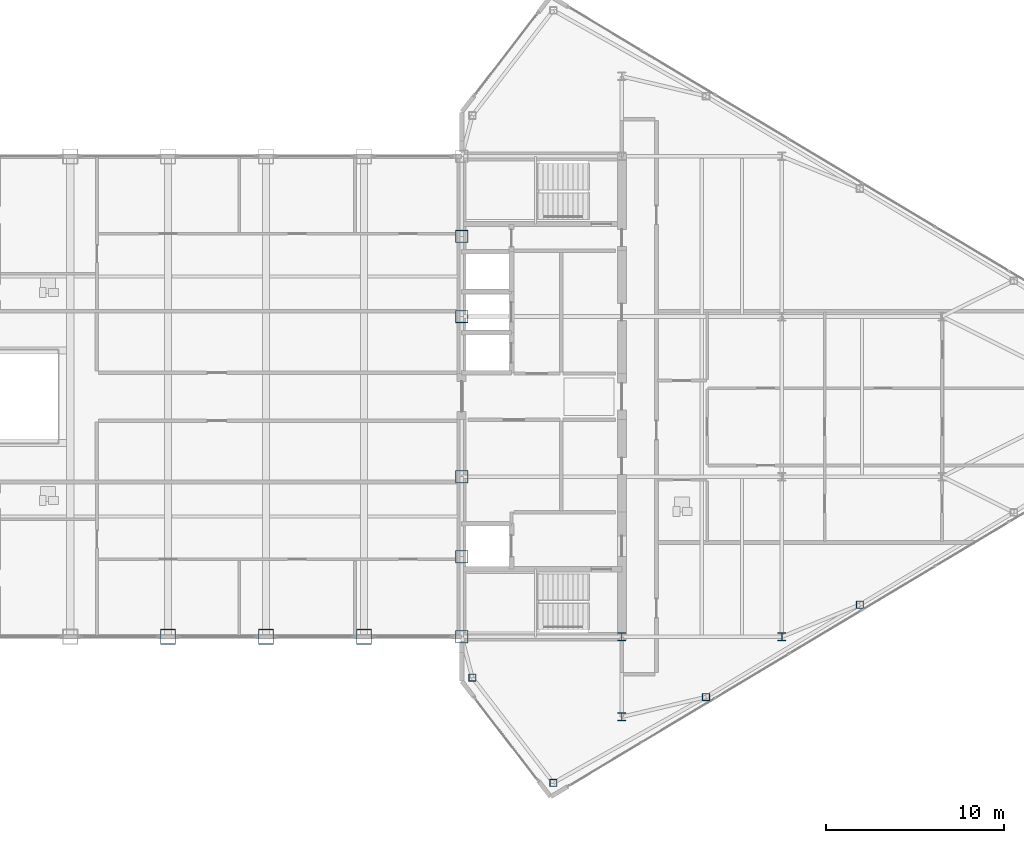
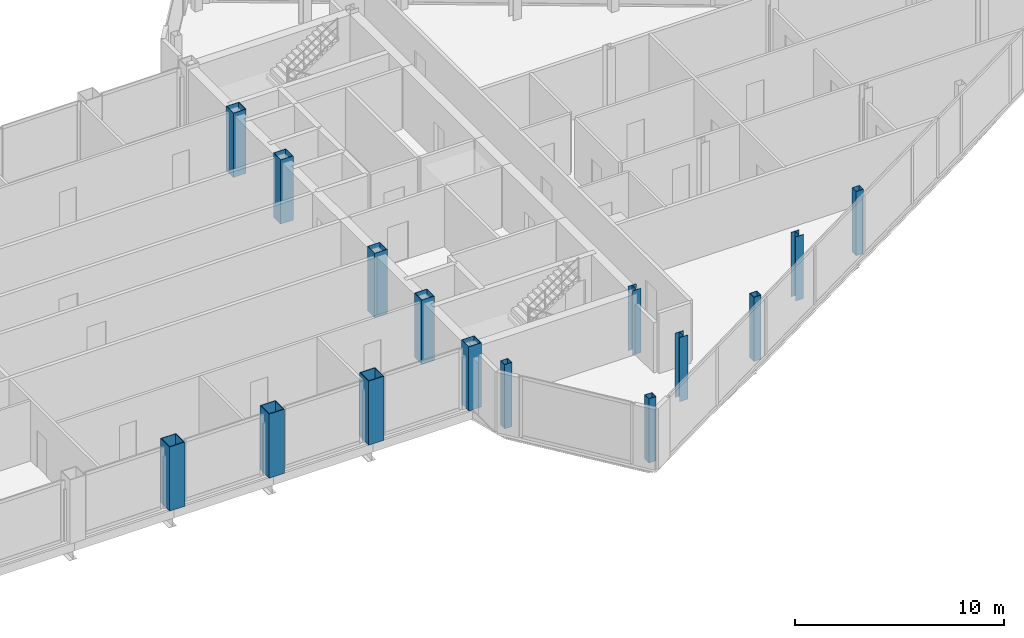
# One storey, part 4 of 29: 15 columns.
"""IFC4 building model written with IfcOpenShell, lengths in metres."""

from ifc_helpers import new_model, si_unit, direction, frame, origin, origin_2d, place, context, subcontext, project, spatial, hollow_rectangle, i_section, extrude, source, transform, mapped, material, material_profile, profile_set, type_object, type_shapes, element, save


model = new_model("IFC4")

# Units and contexts
model_context = context("Model", 3, precision=1e-05, world=origin(), true_north=direction((0.0, 1.0)))
body_context = subcontext(model_context, "Body", "Model", "MODEL_VIEW")
ifc_project = project(units=[si_unit("LENGTHUNIT", "METRE"), si_unit("AREAUNIT", "SQUARE_METRE"), si_unit("VOLUMEUNIT", "CUBIC_METRE"), si_unit("PLANEANGLEUNIT", "RADIAN"), si_unit("MASSUNIT", "GRAM", prefix="KILO")], contexts=[model_context])

# Site, building, storey
site_placement = place(None, origin())
site = spatial("IfcSite", under=ifc_project, at=site_placement, CompositionType="ELEMENT")
building_placement = place(site_placement, origin())
building = spatial("IfcBuilding", under=site, at=building_placement, Name="Seokmaru Belvedere", CompositionType="ELEMENT")
storey_placement = place(building_placement, frame((0.0, 0.0, 250.64990234375)))
storey = spatial("IfcBuildingStorey", under=building, at=storey_placement, Name="L66", CompositionType="ELEMENT", Elevation=250.64990234375)

# Columns
ifc_material_1 = material(Name="Steel SM355 (355 MPa)", Category="steel")
ifc_material_profile_1 = material_profile(ifc_material_1, hollow_rectangle(XDim=0.699951171875, YDim=0.699951171875, WallThickness=0.030029296875, at=origin_2d()), Name="BOX-700x700x30")
ifc_profile_set_1 = profile_set([ifc_material_profile_1], Name="Steel SM355 (355 MPa)")
column_type_1 = type_object("IfcColumnType", Name="Upper Spine Column BOX-700", PredefinedType="COLUMN", material=ifc_profile_set_1)
shared_shape_1 = source(origin(), body_context, "Body", "SweptSolid", [
    extrude(hollow_rectangle(XDim=0.699951171875, YDim=0.699951171875, WallThickness=0.030029296875, at=origin_2d()), origin(), (0.0, 0.0, 1.0), 3.75),
])
type_shapes(column_type_1, [shared_shape_1])
for number, where, z_axis, x_axis, name in (
    (1, (27.5, -13.5, 0.0), (0.0, 0.0, 1.0), (1.0, 0.0, 0.0), "L66 Column ES1"),
    (2, (27.5, -9.0, 0.0), (0.0, 0.0, 1.0), (1.0, 0.0, 0.0), "L66 Column ES2"),
    (3, (27.5, -4.5, 0.0), (0.0, 0.0, 1.0), (1.0, 0.0, 0.0), "L66 Column ES3"),
    (4, (27.5, 4.5, 0.0), (0.0, 0.0, 1.0), (1.0, 0.0, 0.0), "L66 Column ES4"),
    (5, (27.5, 9.0, 0.0), (0.0, 0.0, 1.0), (1.0, 0.0, 0.0), "L66 Column ES5"),
):
    element("IfcColumn", number, at=place(storey_placement, frame(where, z_axis=z_axis, x_axis=x_axis)), inside=storey, type_object=column_type_1, Name=name, PredefinedType="COLUMN", context=body_context, shape_type="MappedRepresentation", body=[
        mapped(shared_shape_1, transform((0.0, 0.0, 0.0), scale=1.0)),
    ])
ifc_material_profile_2 = material_profile(ifc_material_1, i_section(OverallWidth=0.449951171875, OverallDepth=0.449951171875, WebThickness=0.01611328125, FlangeThickness=0.02490234375, at=origin_2d()), Name="H-450x450x16x25")
ifc_profile_set_2 = profile_set([ifc_material_profile_2], Name="Steel SM355 (355 MPa)")
column_type_2 = type_object("IfcColumnType", Name="Sky-Gate Column H-450", PredefinedType="COLUMN", material=ifc_profile_set_2)
shared_shape_2 = source(origin(), body_context, "Body", "SweptSolid", [
    extrude(i_section(OverallWidth=0.449951171875, OverallDepth=0.449951171875, WebThickness=0.01611328125, FlangeThickness=0.02490234375, at=origin_2d()), origin(), (0.0, 0.0, 1.0), 3.75),
])
type_shapes(column_type_2, [shared_shape_2])
for number, where, z_axis, x_axis, name in (
    (6, (36.5, -18.0, 0.0), (0.0, 0.0, 1.0), (1.0, 0.0, 0.0), "L66 Column EC1"),
    (7, (36.5, -13.5, 0.0), (0.0, 0.0, 1.0), (1.0, 0.0, 0.0), "L66 Column EC2"),
    (8, (45.5, -13.5, 0.0), (0.0, 0.0, 1.0), (1.0, 0.0, 0.0), "L66 Column EG5_1"),
):
    element("IfcColumn", number, at=place(storey_placement, frame(where, z_axis=z_axis, x_axis=x_axis)), inside=storey, type_object=column_type_2, Name=name, PredefinedType="COLUMN", context=body_context, shape_type="MappedRepresentation", body=[
        mapped(shared_shape_2, transform((0.0, 0.0, 0.0), scale=1.0)),
    ])
ifc_material_profile_3 = material_profile(ifc_material_1, hollow_rectangle(XDim=0.39990234375, YDim=0.39990234375, WallThickness=0.01611328125, at=origin_2d()), Name="HSS-400x400x16")
ifc_profile_set_3 = profile_set([ifc_material_profile_3], Name="Steel SM355 (355 MPa)")
column_type_3 = type_object("IfcColumnType", Name="Perimeter Facet Column HSS-400", PredefinedType="COLUMN", material=ifc_profile_set_3)
shared_shape_3 = source(origin(), body_context, "Body", "SweptSolid", [
    extrude(hollow_rectangle(XDim=0.39990234375, YDim=0.39990234375, WallThickness=0.01611328125, at=origin_2d()), origin(), (0.0, 0.0, 1.0), 3.75),
])
type_shapes(column_type_3, [shared_shape_3])
for number, where, z_axis, x_axis, name in (
    (9, (32.649658203125, -21.71044921875, 0.0), (0.0, 0.0, 1.0), (1.0, 0.0, 0.0), "L66 Column EF1"),
    (10, (28.10009765625, -15.7958984375, 0.0), (0.0, 0.0, 1.0), (1.0, 0.0, 0.0), "L66 Column EF6"),
    (11, (41.229736328125, -16.888916015625, 0.0), (0.0, 0.0, 1.0), (1.0, 0.0, 0.0), "L66 Column EFLK_S1"),
    (12, (49.8798828125, -11.698974609375, 0.0), (0.0, 0.0, 1.0), (1.0, 0.0, 0.0), "L66 Column EFLK_S2"),
):
    element("IfcColumn", number, at=place(storey_placement, frame(where, z_axis=z_axis, x_axis=x_axis)), inside=storey, type_object=column_type_3, Name=name, PredefinedType="COLUMN", context=body_context, shape_type="MappedRepresentation", body=[
        mapped(shared_shape_3, transform((0.0, 0.0, 0.0), scale=1.0)),
    ])
ifc_material_2 = material(Name="Steel HSA650 (650 MPa)", Category="steel")
ifc_material_profile_4 = material_profile(ifc_material_2, hollow_rectangle(XDim=0.85009765625, YDim=0.85009765625, WallThickness=0.035888671875, at=origin_2d()), Name="BOX-850x850x36")
ifc_profile_set_4 = profile_set([ifc_material_profile_4], Name="Steel HSA650 (650 MPa)")
column_type_4 = type_object("IfcColumnType", Name="Portal Spine Column BOX-850", PredefinedType="COLUMN", material=ifc_profile_set_4)
shared_shape_4 = source(origin(), body_context, "Body", "SweptSolid", [
    extrude(hollow_rectangle(XDim=0.85009765625, YDim=0.85009765625, WallThickness=0.035888671875, at=origin_2d()), origin(), (0.0, 0.0, 1.0), 3.75),
])
type_shapes(column_type_4, [shared_shape_4])
for number, where, z_axis, x_axis, name in (
    (13, (11.0, -13.5, 0.0), (0.0, 0.0, 1.0), (1.0, 0.0, 0.0), "L66 Column BRS_7"),
    (14, (16.5, -13.5, 0.0), (0.0, 0.0, 1.0), (1.0, 0.0, 0.0), "L66 Column BRS_8"),
    (15, (22.0, -13.5, 0.0), (0.0, 0.0, 1.0), (1.0, 0.0, 0.0), "L66 Column BRS_9"),
):
    element("IfcColumn", number, at=place(storey_placement, frame(where, z_axis=z_axis, x_axis=x_axis)), inside=storey, type_object=column_type_4, Name=name, PredefinedType="COLUMN", context=body_context, shape_type="MappedRepresentation", body=[
        mapped(shared_shape_4, transform((0.0, 0.0, 0.0), scale=1.0)),
    ])

save(model, "model.ifc")
